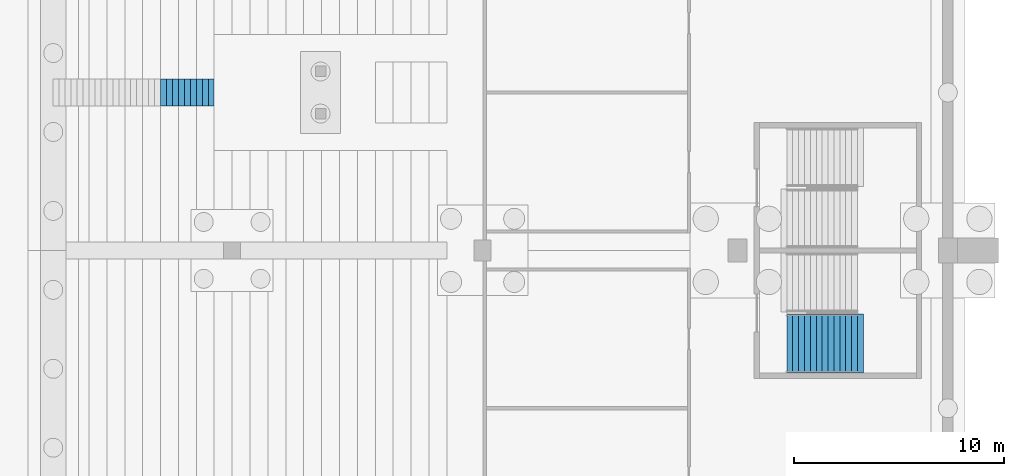
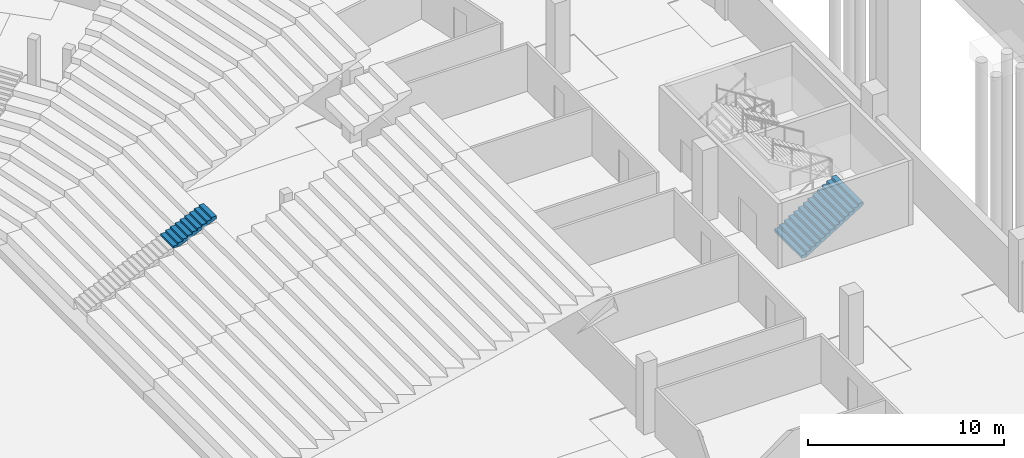
# One storey, part 106 of 115: 2 stair flights, 2 elements without a shape of their own.
"""IFC4 building model written with IfcOpenShell, lengths in metres."""

from ifc_helpers import new_model, si_unit, direction, frame, origin, place, context, subcontext, project, spatial, faceted_brep, material, type_object, element, aggregate, save


model = new_model("IFC4")

# Units and contexts
model_context = context("Model", 3, precision=1e-05, world=origin(), true_north=direction((0.0, 1.0)))
body_context = subcontext(model_context, "Body", "Model", "MODEL_VIEW")
ifc_project = project(units=[si_unit("LENGTHUNIT", "METRE"), si_unit("AREAUNIT", "SQUARE_METRE"), si_unit("VOLUMEUNIT", "CUBIC_METRE"), si_unit("PLANEANGLEUNIT", "RADIAN"), si_unit("MASSUNIT", "GRAM", prefix="KILO")], contexts=[model_context])

# Site, building, storey
site_placement = place(None, origin())
site = spatial("IfcSite", under=ifc_project, at=site_placement, CompositionType="ELEMENT")
building_placement = place(site_placement, origin())
building = spatial("IfcBuilding", under=site, at=building_placement, Name="Ogive Plaza Stadium", CompositionType="ELEMENT")
storey_placement = place(building_placement, frame((0.0, 0.0, -4.5)))
storey = spatial("IfcBuildingStorey", under=building, at=storey_placement, Name="B1", CompositionType="ELEMENT", Elevation=-4.5)

# Stair, stair flight
ifc_material_1 = material(Name="Concrete C40/50", Category="concrete")
stair_type_1 = type_object("IfcStairType", Name="Aisle stair", PredefinedType="STRAIGHT_RUN_STAIR", material=ifc_material_1)
stair_1_placement = place(storey_placement, origin())
stair_1 = element("IfcStair", 1, at=stair_1_placement, inside=storey, type_object=stair_type_1, Name="Aisle stair SA01D", PredefinedType="STRAIGHT_RUN_STAIR")
ifc_material_2 = material(Name="Concrete C40/50", Category="concrete")
stair_flight_type_1 = type_object("IfcStairFlightType", Name="Aisle stair flight", PredefinedType="STRAIGHT", material=ifc_material_2)
stair_flight_1_placement = place(storey_placement, frame((46.60009765625, 45.0, 3.375), z_axis=(0.0, 0.0, 1.0), x_axis=(1.0, 0.0, 0.0)))
stair_flight_1 = element("IfcStairFlight", 2, at=stair_flight_1_placement, type_object=stair_flight_type_1, Name="SA01D flight 2", NumberOfRisers=9, NumberOfTreads=8, PredefinedType="STRAIGHT", RiserHeight=0.125, TreadLength=0.283333333, context=body_context, shape_type="Brep", body=[
    faceted_brep([(0.371337890625, -0.64990234375, 0.0), (2.550048828125, -0.64990234375, 0.961181640625), (2.550048828125, -0.64990234375, 1.125), (2.2666015625, -0.64990234375, 1.125), (2.2666015625, -0.64990234375, 1.0), (1.9833984375, -0.64990234375, 1.0), (1.9833984375, -0.64990234375, 0.875), (1.699951171875, -0.64990234375, 0.875), (1.699951171875, -0.64990234375, 0.75), (1.416748046875, -0.64990234375, 0.75), (1.416748046875, -0.64990234375, 0.625), (1.13330078125, -0.64990234375, 0.625), (1.13330078125, -0.64990234375, 0.5), (0.85009765625, -0.64990234375, 0.5), (0.85009765625, -0.64990234375, 0.375), (0.566650390625, -0.64990234375, 0.375), (0.566650390625, -0.64990234375, 0.25), (0.283447265625, -0.64990234375, 0.25), (0.283447265625, -0.64990234375, 0.125), (0.0, -0.64990234375, 0.125), (0.0, -0.64990234375, 0.0), (0.0, 0.64990234375, 0.0), (0.0, 0.64990234375, 0.125), (0.283447265625, 0.64990234375, 0.125), (0.283447265625, 0.64990234375, 0.25), (0.566650390625, 0.64990234375, 0.25), (0.566650390625, 0.64990234375, 0.375), (0.85009765625, 0.64990234375, 0.375), (0.85009765625, 0.64990234375, 0.5), (1.13330078125, 0.64990234375, 0.5), (1.13330078125, 0.64990234375, 0.625), (1.416748046875, 0.64990234375, 0.625), (1.416748046875, 0.64990234375, 0.75), (1.699951171875, 0.64990234375, 0.75), (1.699951171875, 0.64990234375, 0.875), (1.9833984375, 0.64990234375, 0.875), (1.9833984375, 0.64990234375, 1.0), (2.2666015625, 0.64990234375, 1.0), (2.2666015625, 0.64990234375, 1.125), (2.550048828125, 0.64990234375, 1.125), (2.550048828125, 0.64990234375, 0.961181640625), (0.371337890625, 0.64990234375, 0.0), (0.371337890625, -0.324951171875, 0.0), (2.550048828125, -0.324951171875, 0.961181640625), (0.371337890625, 0.0, 0.0), (2.550048828125, 0.0, 0.961181640625), (0.371337890625, 0.324951171875, 0.0), (2.550048828125, 0.324951171875, 0.961181640625), (2.550048828125, -0.324951171875, 1.125), (2.550048828125, 0.0, 1.125), (2.550048828125, 0.324951171875, 1.125), (2.2666015625, -0.324951171875, 1.125), (2.2666015625, 0.0, 1.125), (2.2666015625, 0.324951171875, 1.125), (2.2666015625, -0.324951171875, 1.0), (2.2666015625, 0.0, 1.0), (2.2666015625, 0.324951171875, 1.0), (1.9833984375, -0.324951171875, 1.0), (1.9833984375, 0.0, 1.0), (1.9833984375, 0.324951171875, 1.0), (1.9833984375, -0.324951171875, 0.875), (1.9833984375, 0.0, 0.875), (1.9833984375, 0.324951171875, 0.875), (1.699951171875, -0.324951171875, 0.875), (1.699951171875, 0.0, 0.875), (1.699951171875, 0.324951171875, 0.875), (1.699951171875, -0.324951171875, 0.75), (1.699951171875, 0.0, 0.75), (1.699951171875, 0.324951171875, 0.75), (1.416748046875, -0.324951171875, 0.75), (1.416748046875, 0.0, 0.75), (1.416748046875, 0.324951171875, 0.75), (1.416748046875, -0.324951171875, 0.625), (1.416748046875, 0.0, 0.625), (1.416748046875, 0.324951171875, 0.625), (1.13330078125, -0.324951171875, 0.625), (1.13330078125, 0.0, 0.625), (1.13330078125, 0.324951171875, 0.625), (1.13330078125, -0.324951171875, 0.5), (1.13330078125, 0.0, 0.5), (1.13330078125, 0.324951171875, 0.5), (0.85009765625, -0.324951171875, 0.5), (0.85009765625, 0.0, 0.5), (0.85009765625, 0.324951171875, 0.5), (0.85009765625, -0.324951171875, 0.375), (0.85009765625, 0.0, 0.375), (0.85009765625, 0.324951171875, 0.375), (0.566650390625, -0.324951171875, 0.375), (0.566650390625, 0.0, 0.375), (0.566650390625, 0.324951171875, 0.375), (0.566650390625, -0.324951171875, 0.25), (0.566650390625, 0.0, 0.25), (0.566650390625, 0.324951171875, 0.25), (0.283447265625, -0.324951171875, 0.25), (0.283447265625, 0.0, 0.25), (0.283447265625, 0.324951171875, 0.25), (0.283447265625, -0.324951171875, 0.125), (0.283447265625, 0.0, 0.125), (0.283447265625, 0.324951171875, 0.125), (0.0, -0.324951171875, 0.125), (0.0, 0.0, 0.125), (0.0, 0.324951171875, 0.125), (0.0, -0.324951171875, 0.0), (0.0, 0.0, 0.0), (0.0, 0.324951171875, 0.0)], [[[0, 1, 2, 3, 4, 5, 6, 7, 8, 9, 10, 11, 12, 13, 14, 15, 16, 17, 18, 19, 20]], [[21, 22, 23, 24, 25, 26, 27, 28, 29, 30, 31, 32, 33, 34, 35, 36, 37, 38, 39, 40, 41]], [[0, 42, 43, 1]], [[42, 44, 45, 43]], [[44, 46, 47, 45]], [[46, 41, 40, 47]], [[1, 43, 48, 2]], [[43, 45, 49, 48]], [[45, 47, 50, 49]], [[47, 40, 39, 50]], [[2, 48, 51, 3]], [[48, 49, 52, 51]], [[49, 50, 53, 52]], [[50, 39, 38, 53]], [[3, 51, 54, 4]], [[51, 52, 55, 54]], [[52, 53, 56, 55]], [[53, 38, 37, 56]], [[4, 54, 57, 5]], [[54, 55, 58, 57]], [[55, 56, 59, 58]], [[56, 37, 36, 59]], [[5, 57, 60, 6]], [[57, 58, 61, 60]], [[58, 59, 62, 61]], [[59, 36, 35, 62]], [[6, 60, 63, 7]], [[60, 61, 64, 63]], [[61, 62, 65, 64]], [[62, 35, 34, 65]], [[7, 63, 66, 8]], [[63, 64, 67, 66]], [[64, 65, 68, 67]], [[65, 34, 33, 68]], [[8, 66, 69, 9]], [[66, 67, 70, 69]], [[67, 68, 71, 70]], [[68, 33, 32, 71]], [[9, 69, 72, 10]], [[69, 70, 73, 72]], [[70, 71, 74, 73]], [[71, 32, 31, 74]], [[10, 72, 75, 11]], [[72, 73, 76, 75]], [[73, 74, 77, 76]], [[74, 31, 30, 77]], [[11, 75, 78, 12]], [[75, 76, 79, 78]], [[76, 77, 80, 79]], [[77, 30, 29, 80]], [[12, 78, 81, 13]], [[78, 79, 82, 81]], [[79, 80, 83, 82]], [[80, 29, 28, 83]], [[13, 81, 84, 14]], [[81, 82, 85, 84]], [[82, 83, 86, 85]], [[83, 28, 27, 86]], [[14, 84, 87, 15]], [[84, 85, 88, 87]], [[85, 86, 89, 88]], [[86, 27, 26, 89]], [[15, 87, 90, 16]], [[87, 88, 91, 90]], [[88, 89, 92, 91]], [[89, 26, 25, 92]], [[16, 90, 93, 17]], [[90, 91, 94, 93]], [[91, 92, 95, 94]], [[92, 25, 24, 95]], [[17, 93, 96, 18]], [[93, 94, 97, 96]], [[94, 95, 98, 97]], [[95, 24, 23, 98]], [[18, 96, 99, 19]], [[96, 97, 100, 99]], [[97, 98, 101, 100]], [[98, 23, 22, 101]], [[19, 99, 102, 20]], [[99, 100, 103, 102]], [[100, 101, 104, 103]], [[101, 22, 21, 104]], [[20, 102, 42, 0]], [[102, 103, 44, 42]], [[103, 104, 46, 44]], [[104, 21, 41, 46]]]),
])
aggregate(stair_1, [stair_flight_1])

ifc_material_3 = material(Name="Concrete C40/50", Category="concrete")
stair_type_2 = type_object("IfcStairType", Name="Exit stair", PredefinedType="STRAIGHT_RUN_STAIR", material=ifc_material_3)
stair_2_placement = place(storey_placement, origin())
stair_2 = element("IfcStair", 3, at=stair_2_placement, inside=storey, type_object=stair_type_2, Name="Exit stair ST02A B1 to L00", PredefinedType="STRAIGHT_RUN_STAIR")
ifc_material_4 = material(Name="Concrete C40/50", Category="concrete")
stair_flight_type_2 = type_object("IfcStairFlightType", Name="Exit stair flight", PredefinedType="STRAIGHT", material=ifc_material_4)
stair_flight_2_placement = place(storey_placement, frame((76.35009765625, 33.074951171875, 0.0), z_axis=(0.0, 0.0, 1.0), x_axis=(1.0, 0.0, 0.0)))
stair_flight_2 = element("IfcStairFlight", 4, at=stair_flight_2_placement, type_object=stair_flight_type_2, Name="ST02A flight 1", NumberOfRisers=13, NumberOfTreads=12, PredefinedType="STRAIGHT", RiserHeight=0.173076923, TreadLength=0.28, context=body_context, shape_type="Brep", body=[
    faceted_brep([(0.28515625, -1.39990234375, 0.0), (3.639892578125, -1.39990234375, 2.07373046875), (3.639892578125, -1.39990234375, 2.25), (3.360107421875, -1.39990234375, 2.25), (3.360107421875, -1.39990234375, 2.076904296875), (3.080078125, -1.39990234375, 2.076904296875), (3.080078125, -1.39990234375, 1.90380859375), (2.800048828125, -1.39990234375, 1.90380859375), (2.800048828125, -1.39990234375, 1.730712890625), (2.52001953125, -1.39990234375, 1.730712890625), (2.52001953125, -1.39990234375, 1.5576171875), (2.239990234375, -1.39990234375, 1.5576171875), (2.239990234375, -1.39990234375, 1.384521484375), (1.9599609375, -1.39990234375, 1.384521484375), (1.9599609375, -1.39990234375, 1.21142578125), (1.679931640625, -1.39990234375, 1.21142578125), (1.679931640625, -1.39990234375, 1.03857421875), (1.39990234375, -1.39990234375, 1.03857421875), (1.39990234375, -1.39990234375, 0.865478515625), (1.1201171875, -1.39990234375, 0.865478515625), (1.1201171875, -1.39990234375, 0.6923828125), (0.840087890625, -1.39990234375, 0.6923828125), (0.840087890625, -1.39990234375, 0.519287109375), (0.56005859375, -1.39990234375, 0.519287109375), (0.56005859375, -1.39990234375, 0.34619140625), (0.280029296875, -1.39990234375, 0.34619140625), (0.280029296875, -1.39990234375, 0.173095703125), (0.0, -1.39990234375, 0.173095703125), (0.0, -1.39990234375, 0.0), (0.0, 1.39990234375, 0.0), (0.0, 1.39990234375, 0.173095703125), (0.280029296875, 1.39990234375, 0.173095703125), (0.280029296875, 1.39990234375, 0.34619140625), (0.56005859375, 1.39990234375, 0.34619140625), (0.56005859375, 1.39990234375, 0.519287109375), (0.840087890625, 1.39990234375, 0.519287109375), (0.840087890625, 1.39990234375, 0.6923828125), (1.1201171875, 1.39990234375, 0.6923828125), (1.1201171875, 1.39990234375, 0.865478515625), (1.39990234375, 1.39990234375, 0.865478515625), (1.39990234375, 1.39990234375, 1.03857421875), (1.679931640625, 1.39990234375, 1.03857421875), (1.679931640625, 1.39990234375, 1.21142578125), (1.9599609375, 1.39990234375, 1.21142578125), (1.9599609375, 1.39990234375, 1.384521484375), (2.239990234375, 1.39990234375, 1.384521484375), (2.239990234375, 1.39990234375, 1.5576171875), (2.52001953125, 1.39990234375, 1.5576171875), (2.52001953125, 1.39990234375, 1.730712890625), (2.800048828125, 1.39990234375, 1.730712890625), (2.800048828125, 1.39990234375, 1.90380859375), (3.080078125, 1.39990234375, 1.90380859375), (3.080078125, 1.39990234375, 2.076904296875), (3.360107421875, 1.39990234375, 2.076904296875), (3.360107421875, 1.39990234375, 2.25), (3.639892578125, 1.39990234375, 2.25), (3.639892578125, 1.39990234375, 2.07373046875), (0.28515625, 1.39990234375, 0.0), (0.28515625, -1.0888671875, 0.0), (3.639892578125, -1.0888671875, 2.07373046875), (0.28515625, -0.77783203125, 0.0), (3.639892578125, -0.77783203125, 2.07373046875), (0.28515625, -0.466796875, 0.0), (3.639892578125, -0.466796875, 2.07373046875), (0.28515625, -0.155517578125, 0.0), (3.639892578125, -0.155517578125, 2.07373046875), (0.28515625, 0.155517578125, 0.0), (3.639892578125, 0.155517578125, 2.07373046875), (0.28515625, 0.466796875, 0.0), (3.639892578125, 0.466796875, 2.07373046875), (0.28515625, 0.77783203125, 0.0), (3.639892578125, 0.77783203125, 2.07373046875), (0.28515625, 1.0888671875, 0.0), (3.639892578125, 1.0888671875, 2.07373046875), (3.639892578125, -1.0888671875, 2.25), (3.639892578125, -0.77783203125, 2.25), (3.639892578125, -0.466796875, 2.25), (3.639892578125, -0.155517578125, 2.25), (3.639892578125, 0.155517578125, 2.25), (3.639892578125, 0.466796875, 2.25), (3.639892578125, 0.77783203125, 2.25), (3.639892578125, 1.0888671875, 2.25), (3.360107421875, -1.0888671875, 2.25), (3.360107421875, -0.77783203125, 2.25), (3.360107421875, -0.466796875, 2.25), (3.360107421875, -0.155517578125, 2.25), (3.360107421875, 0.155517578125, 2.25), (3.360107421875, 0.466796875, 2.25), (3.360107421875, 0.77783203125, 2.25), (3.360107421875, 1.0888671875, 2.25), (3.360107421875, -1.0888671875, 2.076904296875), (3.360107421875, -0.77783203125, 2.076904296875), (3.360107421875, -0.466796875, 2.076904296875), (3.360107421875, -0.155517578125, 2.076904296875), (3.360107421875, 0.155517578125, 2.076904296875), (3.360107421875, 0.466796875, 2.076904296875), (3.360107421875, 0.77783203125, 2.076904296875), (3.360107421875, 1.0888671875, 2.076904296875), (3.080078125, -1.0888671875, 2.076904296875), (3.080078125, -0.77783203125, 2.076904296875), (3.080078125, -0.466796875, 2.076904296875), (3.080078125, -0.155517578125, 2.076904296875), (3.080078125, 0.155517578125, 2.076904296875), (3.080078125, 0.466796875, 2.076904296875), (3.080078125, 0.77783203125, 2.076904296875), (3.080078125, 1.0888671875, 2.076904296875), (3.080078125, -1.0888671875, 1.90380859375), (3.080078125, -0.77783203125, 1.90380859375), (3.080078125, -0.466796875, 1.90380859375), (3.080078125, -0.155517578125, 1.90380859375), (3.080078125, 0.155517578125, 1.90380859375), (3.080078125, 0.466796875, 1.90380859375), (3.080078125, 0.77783203125, 1.90380859375), (3.080078125, 1.0888671875, 1.90380859375), (2.800048828125, -1.0888671875, 1.90380859375), (2.800048828125, -0.77783203125, 1.90380859375), (2.800048828125, -0.466796875, 1.90380859375), (2.800048828125, -0.155517578125, 1.90380859375), (2.800048828125, 0.155517578125, 1.90380859375), (2.800048828125, 0.466796875, 1.90380859375), (2.800048828125, 0.77783203125, 1.90380859375), (2.800048828125, 1.0888671875, 1.90380859375), (2.800048828125, -1.0888671875, 1.730712890625), (2.800048828125, -0.77783203125, 1.730712890625), (2.800048828125, -0.466796875, 1.730712890625), (2.800048828125, -0.155517578125, 1.730712890625), (2.800048828125, 0.155517578125, 1.730712890625), (2.800048828125, 0.466796875, 1.730712890625), (2.800048828125, 0.77783203125, 1.730712890625), (2.800048828125, 1.0888671875, 1.730712890625), (2.52001953125, -1.0888671875, 1.730712890625), (2.52001953125, -0.77783203125, 1.730712890625), (2.52001953125, -0.466796875, 1.730712890625), (2.52001953125, -0.155517578125, 1.730712890625), (2.52001953125, 0.155517578125, 1.730712890625), (2.52001953125, 0.466796875, 1.730712890625), (2.52001953125, 0.77783203125, 1.730712890625), (2.52001953125, 1.0888671875, 1.730712890625), (2.52001953125, -1.0888671875, 1.5576171875), (2.52001953125, -0.77783203125, 1.5576171875), (2.52001953125, -0.466796875, 1.5576171875), (2.52001953125, -0.155517578125, 1.5576171875), (2.52001953125, 0.155517578125, 1.5576171875), (2.52001953125, 0.466796875, 1.5576171875), (2.52001953125, 0.77783203125, 1.5576171875), (2.52001953125, 1.0888671875, 1.5576171875), (2.239990234375, -1.0888671875, 1.5576171875), (2.239990234375, -0.77783203125, 1.5576171875), (2.239990234375, -0.466796875, 1.5576171875), (2.239990234375, -0.155517578125, 1.5576171875), (2.239990234375, 0.155517578125, 1.5576171875), (2.239990234375, 0.466796875, 1.5576171875), (2.239990234375, 0.77783203125, 1.5576171875), (2.239990234375, 1.0888671875, 1.5576171875), (2.239990234375, -1.0888671875, 1.384521484375), (2.239990234375, -0.77783203125, 1.384521484375), (2.239990234375, -0.466796875, 1.384521484375), (2.239990234375, -0.155517578125, 1.384521484375), (2.239990234375, 0.155517578125, 1.384521484375), (2.239990234375, 0.466796875, 1.384521484375), (2.239990234375, 0.77783203125, 1.384521484375), (2.239990234375, 1.0888671875, 1.384521484375), (1.9599609375, -1.0888671875, 1.384521484375), (1.9599609375, -0.77783203125, 1.384521484375), (1.9599609375, -0.466796875, 1.384521484375), (1.9599609375, -0.155517578125, 1.384521484375), (1.9599609375, 0.155517578125, 1.384521484375), (1.9599609375, 0.466796875, 1.384521484375), (1.9599609375, 0.77783203125, 1.384521484375), (1.9599609375, 1.0888671875, 1.384521484375), (1.9599609375, -1.0888671875, 1.21142578125), (1.9599609375, -0.77783203125, 1.21142578125), (1.9599609375, -0.466796875, 1.21142578125), (1.9599609375, -0.155517578125, 1.21142578125), (1.9599609375, 0.155517578125, 1.21142578125), (1.9599609375, 0.466796875, 1.21142578125), (1.9599609375, 0.77783203125, 1.21142578125), (1.9599609375, 1.0888671875, 1.21142578125), (1.679931640625, -1.0888671875, 1.21142578125), (1.679931640625, -0.77783203125, 1.21142578125), (1.679931640625, -0.466796875, 1.21142578125), (1.679931640625, -0.155517578125, 1.21142578125), (1.679931640625, 0.155517578125, 1.21142578125), (1.679931640625, 0.466796875, 1.21142578125), (1.679931640625, 0.77783203125, 1.21142578125), (1.679931640625, 1.0888671875, 1.21142578125), (1.679931640625, -1.0888671875, 1.03857421875), (1.679931640625, -0.77783203125, 1.03857421875), (1.679931640625, -0.466796875, 1.03857421875), (1.679931640625, -0.155517578125, 1.03857421875), (1.679931640625, 0.155517578125, 1.03857421875), (1.679931640625, 0.466796875, 1.03857421875), (1.679931640625, 0.77783203125, 1.03857421875), (1.679931640625, 1.0888671875, 1.03857421875), (1.39990234375, -1.0888671875, 1.03857421875), (1.39990234375, -0.77783203125, 1.03857421875), (1.39990234375, -0.466796875, 1.03857421875), (1.39990234375, -0.155517578125, 1.03857421875), (1.39990234375, 0.155517578125, 1.03857421875), (1.39990234375, 0.466796875, 1.03857421875), (1.39990234375, 0.77783203125, 1.03857421875), (1.39990234375, 1.0888671875, 1.03857421875), (1.39990234375, -1.0888671875, 0.865478515625), (1.39990234375, -0.77783203125, 0.865478515625), (1.39990234375, -0.466796875, 0.865478515625), (1.39990234375, -0.155517578125, 0.865478515625), (1.39990234375, 0.155517578125, 0.865478515625), (1.39990234375, 0.466796875, 0.865478515625), (1.39990234375, 0.77783203125, 0.865478515625), (1.39990234375, 1.0888671875, 0.865478515625), (1.1201171875, -1.0888671875, 0.865478515625), (1.1201171875, -0.77783203125, 0.865478515625), (1.1201171875, -0.466796875, 0.865478515625), (1.1201171875, -0.155517578125, 0.865478515625), (1.1201171875, 0.155517578125, 0.865478515625), (1.1201171875, 0.466796875, 0.865478515625), (1.1201171875, 0.77783203125, 0.865478515625), (1.1201171875, 1.0888671875, 0.865478515625), (1.1201171875, -1.0888671875, 0.6923828125), (1.1201171875, -0.77783203125, 0.6923828125), (1.1201171875, -0.466796875, 0.6923828125), (1.1201171875, -0.155517578125, 0.6923828125), (1.1201171875, 0.155517578125, 0.6923828125), (1.1201171875, 0.466796875, 0.6923828125), (1.1201171875, 0.77783203125, 0.6923828125), (1.1201171875, 1.0888671875, 0.6923828125), (0.840087890625, -1.0888671875, 0.6923828125), (0.840087890625, -0.77783203125, 0.6923828125), (0.840087890625, -0.466796875, 0.6923828125), (0.840087890625, -0.155517578125, 0.6923828125), (0.840087890625, 0.155517578125, 0.6923828125), (0.840087890625, 0.466796875, 0.6923828125), (0.840087890625, 0.77783203125, 0.6923828125), (0.840087890625, 1.0888671875, 0.6923828125), (0.840087890625, -1.0888671875, 0.519287109375), (0.840087890625, -0.77783203125, 0.519287109375), (0.840087890625, -0.466796875, 0.519287109375), (0.840087890625, -0.155517578125, 0.519287109375), (0.840087890625, 0.155517578125, 0.519287109375), (0.840087890625, 0.466796875, 0.519287109375), (0.840087890625, 0.77783203125, 0.519287109375), (0.840087890625, 1.0888671875, 0.519287109375), (0.56005859375, -1.0888671875, 0.519287109375), (0.56005859375, -0.77783203125, 0.519287109375), (0.56005859375, -0.466796875, 0.519287109375), (0.56005859375, -0.155517578125, 0.519287109375), (0.56005859375, 0.155517578125, 0.519287109375), (0.56005859375, 0.466796875, 0.519287109375), (0.56005859375, 0.77783203125, 0.519287109375), (0.56005859375, 1.0888671875, 0.519287109375), (0.56005859375, -1.0888671875, 0.34619140625), (0.56005859375, -0.77783203125, 0.34619140625), (0.56005859375, -0.466796875, 0.34619140625), (0.56005859375, -0.155517578125, 0.34619140625), (0.56005859375, 0.155517578125, 0.34619140625), (0.56005859375, 0.466796875, 0.34619140625), (0.56005859375, 0.77783203125, 0.34619140625), (0.56005859375, 1.0888671875, 0.34619140625), (0.280029296875, -1.0888671875, 0.34619140625), (0.280029296875, -0.77783203125, 0.34619140625), (0.280029296875, -0.466796875, 0.34619140625), (0.280029296875, -0.155517578125, 0.34619140625), (0.280029296875, 0.155517578125, 0.34619140625), (0.280029296875, 0.466796875, 0.34619140625), (0.280029296875, 0.77783203125, 0.34619140625), (0.280029296875, 1.0888671875, 0.34619140625), (0.280029296875, -1.0888671875, 0.173095703125), (0.280029296875, -0.77783203125, 0.173095703125), (0.280029296875, -0.466796875, 0.173095703125), (0.280029296875, -0.155517578125, 0.173095703125), (0.280029296875, 0.155517578125, 0.173095703125), (0.280029296875, 0.466796875, 0.173095703125), (0.280029296875, 0.77783203125, 0.173095703125), (0.280029296875, 1.0888671875, 0.173095703125), (0.0, -1.0888671875, 0.173095703125), (0.0, -0.77783203125, 0.173095703125), (0.0, -0.466796875, 0.173095703125), (0.0, -0.155517578125, 0.173095703125), (0.0, 0.155517578125, 0.173095703125), (0.0, 0.466796875, 0.173095703125), (0.0, 0.77783203125, 0.173095703125), (0.0, 1.0888671875, 0.173095703125), (0.0, -1.0888671875, 0.0), (0.0, -0.77783203125, 0.0), (0.0, -0.466796875, 0.0), (0.0, -0.155517578125, 0.0), (0.0, 0.155517578125, 0.0), (0.0, 0.466796875, 0.0), (0.0, 0.77783203125, 0.0), (0.0, 1.0888671875, 0.0)], [[[0, 1, 2, 3, 4, 5, 6, 7, 8, 9, 10, 11, 12, 13, 14, 15, 16, 17, 18, 19, 20, 21, 22, 23, 24, 25, 26, 27, 28]], [[29, 30, 31, 32, 33, 34, 35, 36, 37, 38, 39, 40, 41, 42, 43, 44, 45, 46, 47, 48, 49, 50, 51, 52, 53, 54, 55, 56, 57]], [[0, 58, 59, 1]], [[58, 60, 61, 59]], [[60, 62, 63, 61]], [[62, 64, 65, 63]], [[64, 66, 67, 65]], [[66, 68, 69, 67]], [[68, 70, 71, 69]], [[70, 72, 73, 71]], [[72, 57, 56, 73]], [[1, 59, 74, 2]], [[59, 61, 75, 74]], [[61, 63, 76, 75]], [[63, 65, 77, 76]], [[65, 67, 78, 77]], [[67, 69, 79, 78]], [[69, 71, 80, 79]], [[71, 73, 81, 80]], [[73, 56, 55, 81]], [[2, 74, 82, 3]], [[74, 75, 83, 82]], [[75, 76, 84, 83]], [[76, 77, 85, 84]], [[77, 78, 86, 85]], [[78, 79, 87, 86]], [[79, 80, 88, 87]], [[80, 81, 89, 88]], [[81, 55, 54, 89]], [[3, 82, 90, 4]], [[82, 83, 91, 90]], [[83, 84, 92, 91]], [[84, 85, 93, 92]], [[85, 86, 94, 93]], [[86, 87, 95, 94]], [[87, 88, 96, 95]], [[88, 89, 97, 96]], [[89, 54, 53, 97]], [[4, 90, 98, 5]], [[90, 91, 99, 98]], [[91, 92, 100, 99]], [[92, 93, 101, 100]], [[93, 94, 102, 101]], [[94, 95, 103, 102]], [[95, 96, 104, 103]], [[96, 97, 105, 104]], [[97, 53, 52, 105]], [[5, 98, 106, 6]], [[98, 99, 107, 106]], [[99, 100, 108, 107]], [[100, 101, 109, 108]], [[101, 102, 110, 109]], [[102, 103, 111, 110]], [[103, 104, 112, 111]], [[104, 105, 113, 112]], [[105, 52, 51, 113]], [[6, 106, 114, 7]], [[106, 107, 115, 114]], [[107, 108, 116, 115]], [[108, 109, 117, 116]], [[109, 110, 118, 117]], [[110, 111, 119, 118]], [[111, 112, 120, 119]], [[112, 113, 121, 120]], [[113, 51, 50, 121]], [[7, 114, 122, 8]], [[114, 115, 123, 122]], [[115, 116, 124, 123]], [[116, 117, 125, 124]], [[117, 118, 126, 125]], [[118, 119, 127, 126]], [[119, 120, 128, 127]], [[120, 121, 129, 128]], [[121, 50, 49, 129]], [[8, 122, 130, 9]], [[122, 123, 131, 130]], [[123, 124, 132, 131]], [[124, 125, 133, 132]], [[125, 126, 134, 133]], [[126, 127, 135, 134]], [[127, 128, 136, 135]], [[128, 129, 137, 136]], [[129, 49, 48, 137]], [[9, 130, 138, 10]], [[130, 131, 139, 138]], [[131, 132, 140, 139]], [[132, 133, 141, 140]], [[133, 134, 142, 141]], [[134, 135, 143, 142]], [[135, 136, 144, 143]], [[136, 137, 145, 144]], [[137, 48, 47, 145]], [[10, 138, 146, 11]], [[138, 139, 147, 146]], [[139, 140, 148, 147]], [[140, 141, 149, 148]], [[141, 142, 150, 149]], [[142, 143, 151, 150]], [[143, 144, 152, 151]], [[144, 145, 153, 152]], [[145, 47, 46, 153]], [[11, 146, 154, 12]], [[146, 147, 155, 154]], [[147, 148, 156, 155]], [[148, 149, 157, 156]], [[149, 150, 158, 157]], [[150, 151, 159, 158]], [[151, 152, 160, 159]], [[152, 153, 161, 160]], [[153, 46, 45, 161]], [[12, 154, 162, 13]], [[154, 155, 163, 162]], [[155, 156, 164, 163]], [[156, 157, 165, 164]], [[157, 158, 166, 165]], [[158, 159, 167, 166]], [[159, 160, 168, 167]], [[160, 161, 169, 168]], [[161, 45, 44, 169]], [[13, 162, 170, 14]], [[162, 163, 171, 170]], [[163, 164, 172, 171]], [[164, 165, 173, 172]], [[165, 166, 174, 173]], [[166, 167, 175, 174]], [[167, 168, 176, 175]], [[168, 169, 177, 176]], [[169, 44, 43, 177]], [[14, 170, 178, 15]], [[170, 171, 179, 178]], [[171, 172, 180, 179]], [[172, 173, 181, 180]], [[173, 174, 182, 181]], [[174, 175, 183, 182]], [[175, 176, 184, 183]], [[176, 177, 185, 184]], [[177, 43, 42, 185]], [[15, 178, 186, 16]], [[178, 179, 187, 186]], [[179, 180, 188, 187]], [[180, 181, 189, 188]], [[181, 182, 190, 189]], [[182, 183, 191, 190]], [[183, 184, 192, 191]], [[184, 185, 193, 192]], [[185, 42, 41, 193]], [[16, 186, 194, 17]], [[186, 187, 195, 194]], [[187, 188, 196, 195]], [[188, 189, 197, 196]], [[189, 190, 198, 197]], [[190, 191, 199, 198]], [[191, 192, 200, 199]], [[192, 193, 201, 200]], [[193, 41, 40, 201]], [[17, 194, 202, 18]], [[194, 195, 203, 202]], [[195, 196, 204, 203]], [[196, 197, 205, 204]], [[197, 198, 206, 205]], [[198, 199, 207, 206]], [[199, 200, 208, 207]], [[200, 201, 209, 208]], [[201, 40, 39, 209]], [[18, 202, 210, 19]], [[202, 203, 211, 210]], [[203, 204, 212, 211]], [[204, 205, 213, 212]], [[205, 206, 214, 213]], [[206, 207, 215, 214]], [[207, 208, 216, 215]], [[208, 209, 217, 216]], [[209, 39, 38, 217]], [[19, 210, 218, 20]], [[210, 211, 219, 218]], [[211, 212, 220, 219]], [[212, 213, 221, 220]], [[213, 214, 222, 221]], [[214, 215, 223, 222]], [[215, 216, 224, 223]], [[216, 217, 225, 224]], [[217, 38, 37, 225]], [[20, 218, 226, 21]], [[218, 219, 227, 226]], [[219, 220, 228, 227]], [[220, 221, 229, 228]], [[221, 222, 230, 229]], [[222, 223, 231, 230]], [[223, 224, 232, 231]], [[224, 225, 233, 232]], [[225, 37, 36, 233]], [[21, 226, 234, 22]], [[226, 227, 235, 234]], [[227, 228, 236, 235]], [[228, 229, 237, 236]], [[229, 230, 238, 237]], [[230, 231, 239, 238]], [[231, 232, 240, 239]], [[232, 233, 241, 240]], [[233, 36, 35, 241]], [[22, 234, 242, 23]], [[234, 235, 243, 242]], [[235, 236, 244, 243]], [[236, 237, 245, 244]], [[237, 238, 246, 245]], [[238, 239, 247, 246]], [[239, 240, 248, 247]], [[240, 241, 249, 248]], [[241, 35, 34, 249]], [[23, 242, 250, 24]], [[242, 243, 251, 250]], [[243, 244, 252, 251]], [[244, 245, 253, 252]], [[245, 246, 254, 253]], [[246, 247, 255, 254]], [[247, 248, 256, 255]], [[248, 249, 257, 256]], [[249, 34, 33, 257]], [[24, 250, 258, 25]], [[250, 251, 259, 258]], [[251, 252, 260, 259]], [[252, 253, 261, 260]], [[253, 254, 262, 261]], [[254, 255, 263, 262]], [[255, 256, 264, 263]], [[256, 257, 265, 264]], [[257, 33, 32, 265]], [[25, 258, 266, 26]], [[258, 259, 267, 266]], [[259, 260, 268, 267]], [[260, 261, 269, 268]], [[261, 262, 270, 269]], [[262, 263, 271, 270]], [[263, 264, 272, 271]], [[264, 265, 273, 272]], [[265, 32, 31, 273]], [[26, 266, 274, 27]], [[266, 267, 275, 274]], [[267, 268, 276, 275]], [[268, 269, 277, 276]], [[269, 270, 278, 277]], [[270, 271, 279, 278]], [[271, 272, 280, 279]], [[272, 273, 281, 280]], [[273, 31, 30, 281]], [[27, 274, 282, 28]], [[274, 275, 283, 282]], [[275, 276, 284, 283]], [[276, 277, 285, 284]], [[277, 278, 286, 285]], [[278, 279, 287, 286]], [[279, 280, 288, 287]], [[280, 281, 289, 288]], [[281, 30, 29, 289]], [[28, 282, 58, 0]], [[282, 283, 60, 58]], [[283, 284, 62, 60]], [[284, 285, 64, 62]], [[285, 286, 66, 64]], [[286, 287, 68, 66]], [[287, 288, 70, 68]], [[288, 289, 72, 70]], [[289, 29, 57, 72]]]),
])
aggregate(stair_2, [stair_flight_2])

save(model, "model.ifc")
